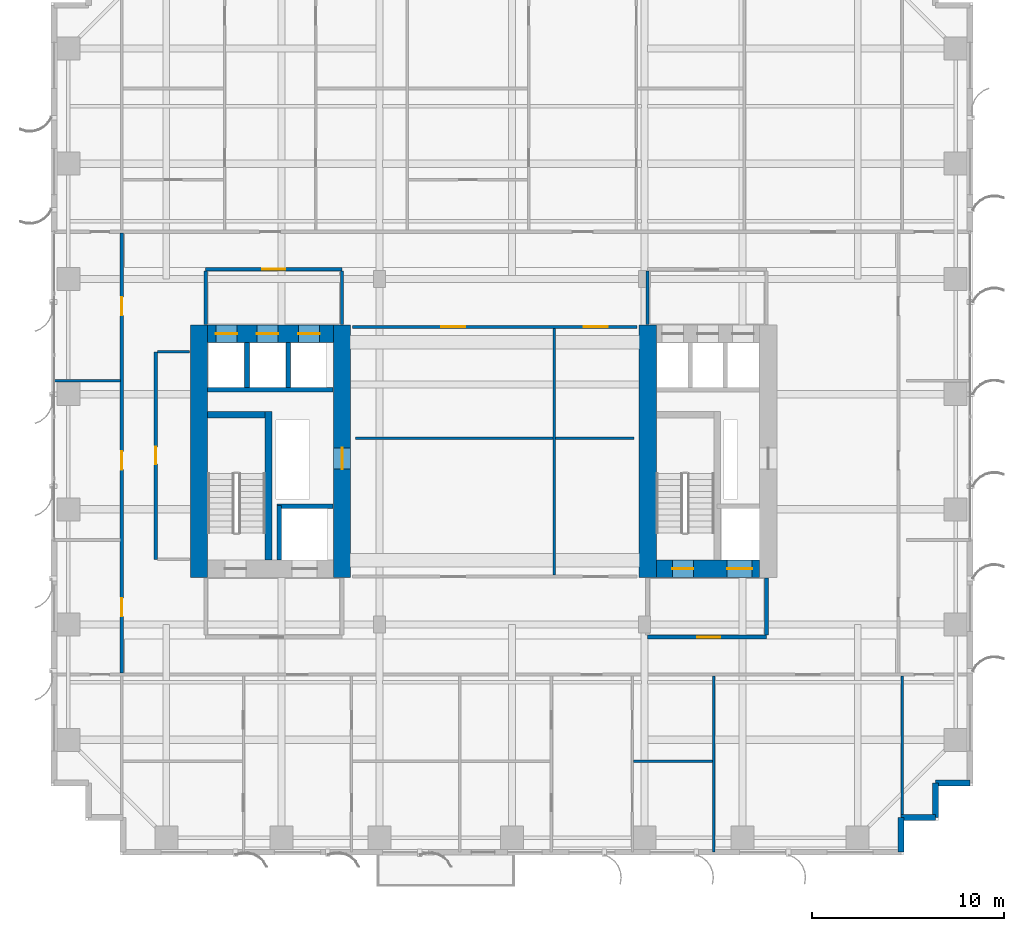
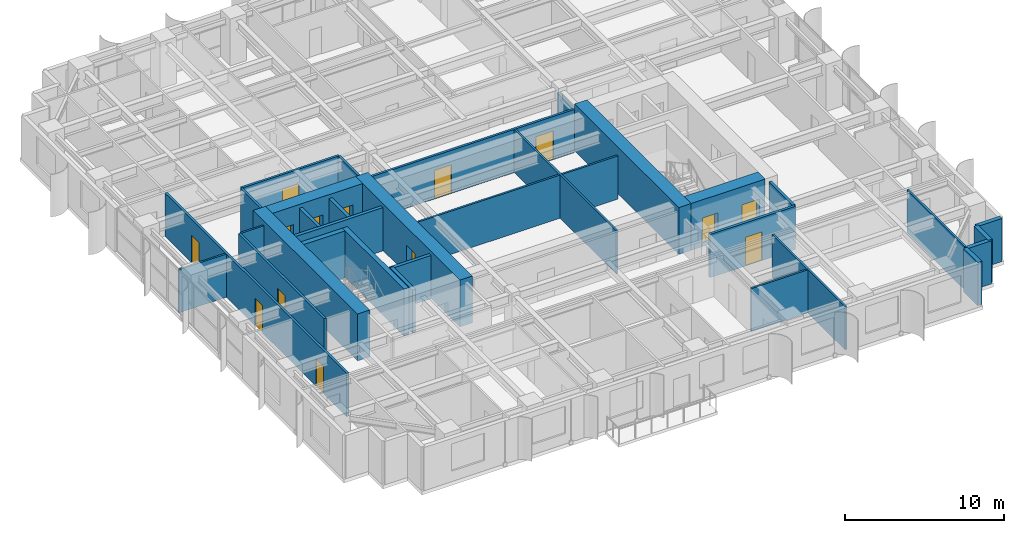
# One storey, part 11 of 18: 32 walls, 14 doors, 14 openings.
"""IFC4 building model written with IfcOpenShell, lengths in metres."""

import ifcopenshell
import ifcopenshell.guid

model = None  # the IFC model being written
_history = None  # IfcOwnerHistory: only IFC2X3 demands one
_inside = {}  # id of a spatial element -> (the spatial element, [elements in it])
_under = {}  # id of a project, library or spatial element -> (it, [spatial elements below it])
_declared = {}  # id of a project -> (the project, [libraries it declares])
_typed = {}  # id of a type object -> (the type object, [elements of that type])
_made_of = {}  # id of a material, layer set ... -> (it, [elements and type objects made of it])


def new_model(schema):
    """Start an empty IFC model of exactly this schema.

    Asked for "IFC4X3", IfcOpenShell would pick the latest addendum, in which some entities
    have other attributes; the version numbers below select the first issue.
    IFC2X3 requires an IfcOwnerHistory on every rooted entity: one is made here for all.
    """
    global model, _history
    if schema == "IFC4X3":
        model = ifcopenshell.file(schema_version=(4, 3, 0, 0))
    else:
        model = ifcopenshell.file(schema=schema)
    _inside.clear()
    _under.clear()
    _declared.clear()
    _typed.clear()
    _made_of.clear()
    _history = None
    if model.schema == "IFC2X3":
        org = make("IfcOrganization", Name="unknown")
        user = make(
            "IfcPersonAndOrganization",
            ThePerson=make("IfcPerson", FamilyName="unknown"),
            TheOrganization=org,
        )
        app = make(
            "IfcApplication",
            ApplicationDeveloper=org,
            Version="unknown",
            ApplicationFullName="unknown",
            ApplicationIdentifier="unknown",
        )
        _history = make(
            "IfcOwnerHistory",
            OwningUser=user,
            OwningApplication=app,
            ChangeAction="ADDED",
            CreationDate=0,
        )
    return model


def make(cls, **values):
    """One entity of the class cls with the attributes given. An attribute that is None is left unset."""
    return model.create_entity(
        cls, **{name: value for name, value in values.items() if value is not None}
    )


def rooted(cls, **values):
    """An entity with a GlobalId (a new one), such as an element, a storey or a relation."""
    return make(cls, GlobalId=ifcopenshell.guid.new(), OwnerHistory=_history, **values)


def si_unit(unit_type, name, prefix=None):
    """IfcSIUnit, for example si_unit("LENGTHUNIT", "METRE", prefix="MILLI")."""
    return make("IfcSIUnit", UnitType=unit_type, Prefix=prefix, Name=name)


def assignment(units):
    """IfcUnitAssignment: the units of a project."""
    return None if units is None else make("IfcUnitAssignment", Units=units)


def point(xyz):
    """IfcCartesianPoint."""
    return None if xyz is None else make("IfcCartesianPoint", Coordinates=xyz)


def direction(xyz):
    """IfcDirection."""
    return None if xyz is None else make("IfcDirection", DirectionRatios=xyz)


def frame(location, z_axis=None, x_axis=None):
    """IfcAxis2Placement3D, a coordinate frame: its origin and axes. An axis left out is left unset."""
    return make(
        "IfcAxis2Placement3D",
        Location=point(location),
        Axis=direction(z_axis),
        RefDirection=direction(x_axis),
    )


def frame_2d(location, x_axis=None):
    """IfcAxis2Placement2D, a coordinate frame in the plane: its origin and x axis."""
    return make(
        "IfcAxis2Placement2D", Location=point(location), RefDirection=direction(x_axis)
    )


def origin():
    """The frame at (0, 0, 0) with its axes left unset."""
    return frame((0.0, 0.0, 0.0))


def place(relative_to, where):
    """IfcLocalPlacement: puts the frame where relative to a parent placement (None: the world)."""
    return make(
        "IfcLocalPlacement", PlacementRelTo=relative_to, RelativePlacement=where
    )


def context(
    kind, dimensions, precision=None, world=None, true_north=None, identifier=None
):
    """IfcGeometricRepresentationContext, for example the 3D "Model" context."""
    return make(
        "IfcGeometricRepresentationContext",
        ContextIdentifier=identifier,
        ContextType=kind,
        CoordinateSpaceDimension=dimensions,
        Precision=precision,
        WorldCoordinateSystem=world,
        TrueNorth=true_north,
    )


def subcontext(parent, identifier, kind, view, scale=None):
    """IfcGeometricRepresentationSubContext, for example "Body" below "Model"."""
    return make(
        "IfcGeometricRepresentationSubContext",
        ContextIdentifier=identifier,
        ContextType=kind,
        ParentContext=parent,
        TargetScale=scale,
        TargetView=view,
    )


def project(units=None, contexts=None):
    """IfcProject with its units and contexts."""
    return rooted(
        "IfcProject",
        Name="project",
        RepresentationContexts=contexts,
        UnitsInContext=assignment(units),
    )


def spatial(cls, under=None, at=None, **own):
    """A site, building, storey or space (cls), placed at a placement, below another one or the project."""
    s = rooted(cls, ObjectPlacement=at, **own)
    if under is not None:
        _under.setdefault(under.id(), (under, []))[1].append(s)
    return s


def profile(cls, at=None, kind="AREA", **sizes):
    """A parametric profile (cls). Its sizes go by their IFC names, for example OverallWidth=200.0."""
    return make(cls, ProfileType=kind, Position=at, **sizes)


def rectangle(**sizes):
    """IfcRectangleProfileDef."""
    return profile("IfcRectangleProfileDef", **sizes)


def extrude(swept, where, along, depth):
    """IfcExtrudedAreaSolid: the profile swept, set in the frame where, extruded along a direction by depth."""
    return make(
        "IfcExtrudedAreaSolid",
        SweptArea=swept,
        Position=where,
        ExtrudedDirection=direction(along),
        Depth=depth,
    )


def shape(context_of_items, identifier, shape_type, items):
    """IfcShapeRepresentation: the items that make up one representation, for example the "Body"."""
    return make(
        "IfcShapeRepresentation",
        ContextOfItems=context_of_items,
        RepresentationIdentifier=identifier,
        RepresentationType=shape_type,
        Items=items,
    )


def source(mapping_origin, context_of_items, identifier, shape_type, items):
    """IfcRepresentationMap: a shape defined once, which mapped items show again and again."""
    return make(
        "IfcRepresentationMap",
        MappingOrigin=mapping_origin,
        MappedRepresentation=shape(context_of_items, identifier, shape_type, items),
    )


def transform(
    local_origin,
    x_axis=None,
    y_axis=None,
    z_axis=None,
    scale=None,
    scale2=None,
    scale3=None,
    uniform=True,
):
    """IfcCartesianTransformationOperator3D, or its non-uniform kind. x_axis, y_axis, z_axis: its Axis1, 2, 3."""
    if uniform:
        return make(
            "IfcCartesianTransformationOperator3D",
            Axis1=direction(x_axis),
            Axis2=direction(y_axis),
            LocalOrigin=point(local_origin),
            Scale=scale,
            Axis3=direction(z_axis),
        )
    return make(
        "IfcCartesianTransformationOperator3DnonUniform",
        Axis1=direction(x_axis),
        Axis2=direction(y_axis),
        LocalOrigin=point(local_origin),
        Scale=scale,
        Axis3=direction(z_axis),
        Scale2=scale2,
        Scale3=scale3,
    )


def mapped(mapping_source, mapping_target):
    """IfcMappedItem: shows the shape of a source again, moved by a transform."""
    return make(
        "IfcMappedItem", MappingSource=mapping_source, MappingTarget=mapping_target
    )


def material(Name=None, Category=None):
    """IfcMaterial."""
    return make("IfcMaterial", Name=Name, Category=Category)


def layer(
    of_material, thickness, ventilated=None, Name=None, Category=None, Priority=None
):
    """IfcMaterialLayer: one layer of a wall or slab, of a material (None: an air gap)."""
    return make(
        "IfcMaterialLayer",
        Material=of_material,
        LayerThickness=thickness,
        IsVentilated=ventilated,
        Name=Name,
        Category=Category,
        Priority=Priority,
    )


def layer_set(layers, Name=None):
    """IfcMaterialLayerSet."""
    return make("IfcMaterialLayerSet", MaterialLayers=layers, LayerSetName=Name)


def made_of(thing, what):
    """Note that an element or type object is made of a material, layer set ...; save() writes the relation."""
    if what is not None:
        _made_of.setdefault(what.id(), (what, []))[1].append(thing)
    return thing


def type_object(cls, material=None, **own):
    """A type object (cls), such as IfcWallType, which elements share."""
    return made_of(rooted(cls, **own), material)


def element(
    cls,
    number,
    at=None,
    inside=None,
    cuts=None,
    type_object=None,
    material=None,
    context=None,
    identifier="Body",
    shape_type=None,
    held_by="IfcProductDefinitionShape",
    body=None,
    shapes=None,
    **own,
):
    """One element of the class cls, such as IfcWall. Its Tag is "e" and its number.

    at: its placement. inside: the storey or other place that contains it. cuts: it is an
    opening in that element (IfcRelVoidsElement). A single representation is given by context,
    identifier, shape_type and body (its items); several are given by shapes. held_by: the class
    of the entity that holds the representations. save() writes the other relations.
    """
    e = rooted(cls, Tag="e%d" % number, ObjectPlacement=at, **own)
    if body is not None:
        shapes = [shape(context, identifier, shape_type, body)]
    if shapes is not None:
        e.Representation = make(held_by, Representations=shapes)
    if inside is not None:
        _inside.setdefault(inside.id(), (inside, []))[1].append(e)
    if cuts is not None:
        rooted(
            "IfcRelVoidsElement", RelatingBuildingElement=cuts, RelatedOpeningElement=e
        )
    if type_object is not None:
        _typed.setdefault(type_object.id(), (type_object, []))[1].append(e)
    return made_of(e, material)


def fill(opening, filler):
    """IfcRelFillsElement: the door or window that sits in an opening."""
    return rooted(
        "IfcRelFillsElement",
        RelatingOpeningElement=opening,
        RelatedBuildingElement=filler,
    )


def aggregate(whole, parts):
    """IfcRelAggregates: a whole, such as a stair, and the parts it consists of."""
    return rooted("IfcRelAggregates", RelatingObject=whole, RelatedObjects=parts)


def save(model, path):
    """Write the relations noted so far, then the file.

    IfcRelAggregates (storeys below a building ...), IfcRelContainedInSpatialStructure (elements
    in a storey), IfcRelDefinesByType, IfcRelAssociatesMaterial and IfcRelDeclares: one each for
    every whole, place, type object, material and project.
    """
    for whole, parts in _under.values():
        aggregate(whole, parts)
    for where, things in _inside.values():
        rooted(
            "IfcRelContainedInSpatialStructure",
            RelatedElements=things,
            RelatingStructure=where,
        )
    for kind, things in _typed.values():
        rooted("IfcRelDefinesByType", RelatedObjects=things, RelatingType=kind)
    for what, things in _made_of.values():
        rooted("IfcRelAssociatesMaterial", RelatedObjects=things, RelatingMaterial=what)
    for by, libraries in _declared.values():
        rooted("IfcRelDeclares", RelatingContext=by, RelatedDefinitions=libraries)
    model.write(path)


model = new_model("IFC4")

# Units and contexts
model_context = context("Model", 3, precision=1e-05, world=origin(), true_north=direction((0.0, 1.0)))
body_context = subcontext(model_context, "Body", "Model", "MODEL_VIEW")
ifc_project = project(units=[si_unit("LENGTHUNIT", "METRE"), si_unit("AREAUNIT", "SQUARE_METRE"), si_unit("VOLUMEUNIT", "CUBIC_METRE"), si_unit("PLANEANGLEUNIT", "RADIAN"), si_unit("MASSUNIT", "GRAM", prefix="KILO")], contexts=[model_context])

# Site, building, storey
site_placement = place(None, origin())
site = spatial("IfcSite", under=ifc_project, at=site_placement, CompositionType="ELEMENT")
building_placement = place(site_placement, origin())
building = spatial("IfcBuilding", under=site, at=building_placement, Name="Khoralis Quay Care Tower", CompositionType="ELEMENT")
storey_placement = place(building_placement, frame((0.0, 0.0, 47.699951171875)))
storey = spatial("IfcBuildingStorey", under=building, at=storey_placement, Name="L12", CompositionType="ELEMENT", Elevation=47.699951171875)

# Wall, opening, door
ifc_material_1 = material(Name="Gypsum plasterboard on acoustic metal stud")
ifc_layer_1 = layer(ifc_material_1, 0.199951171875)
ifc_layer_set_1 = layer_set([ifc_layer_1], Name="Gypsum plasterboard on acoustic metal stud")
wall_type_1 = type_object("IfcWallType", Name="WL-COMP-200", PredefinedType="PARTITIONING", material=ifc_layer_set_1)
wall_1_placement = place(storey_placement, frame((31.050048828125, 11.35009765625, 0.0), z_axis=(0.0, 0.0, 1.0), x_axis=(1.0, 0.0, 0.0)))
wall_1 = element("IfcWall", 1, at=wall_1_placement, inside=storey, type_object=wall_type_1, Name="L12 East Firefighting Lobby South Wall", PredefinedType="PARTITIONING", context=body_context, shape_type="SweptSolid", body=[
    extrude(rectangle(XDim=6.199951171875, YDim=0.199951171875, at=frame_2d((3.10009765625, 0.0))), origin(), (0.0, 0.0, 1.0), 3.320068359375),
])
opening_1_placement = place(wall_1_placement, frame((2.585693359375, 0.0, 0.0)))
opening_1 = element("IfcOpeningElement", 2, at=opening_1_placement, cuts=wall_1, Name="Opening FD1", PredefinedType="OPENING", context=body_context, shape_type="SweptSolid", body=[
    extrude(rectangle(XDim=1.199951171875, YDim=2.199951171875, at=frame_2d((0.60009765625, 1.10009765625))), frame((0.0, 0.10986328125, 0.0), z_axis=(0.0, -1.0, 0.0), x_axis=(1.0, 0.0, 0.0)), (0.0, 0.0, 1.0), 0.219970703125),
])
ifc_material_2 = material(Name="Fire-rated painted steel", Category="steel")
door_type_1 = type_object("IfcDoorType", Name="DR-FFL-1200X2200", OperationType="NOTDEFINED", PredefinedType="DOOR", material=ifc_material_2)
shared_shape_1 = source(origin(), body_context, "Body", "SweptSolid", [
    extrude(rectangle(XDim=1.199951171875, YDim=2.199951171875, at=frame_2d((0.60009765625, 1.10009765625))), frame((0.0, 0.02490234375, 0.0), z_axis=(0.0, -1.0, 0.0), x_axis=(1.0, 0.0, 0.0)), (0.0, 0.0, 1.0), 0.050048828125),
])
door_1_placement = place(opening_1_placement, origin())
door_1 = element("IfcDoor", 3, at=door_1_placement, inside=storey, type_object=door_type_1, Name="L12 East Firefighting Lobby Fire Door", OperationType="SINGLE_SWING_LEFT", OverallHeight=2.199951171875, OverallWidth=1.199951171875, PredefinedType="DOOR", context=body_context, shape_type="MappedRepresentation", body=[
    mapped(shared_shape_1, transform((0.0, 0.0, 0.0), scale=1.0)),
])
fill(opening_1, door_1)

# Walls
wall_2_placement = place(storey_placement, frame((37.25, 11.445068359375, 0.0), z_axis=(0.0, 0.0, 1.0), x_axis=(0.0, 1.0, 0.0)))
element("IfcWall", 4, at=wall_2_placement, inside=storey, type_object=wall_type_1, Name="L12 East Firefighting Lobby East Wall", PredefinedType="PARTITIONING", context=body_context, shape_type="SweptSolid", body=[
    extrude(rectangle(XDim=2.98486328125, YDim=0.199951171875, at=frame_2d((1.492431640625, 0.0))), origin(), (0.0, 0.0, 1.0), 3.320068359375),
])
ifc_material_3 = material(Name="Concrete C80/95", Category="concrete")
ifc_layer_2 = layer(ifc_material_3, 0.89990234375)
ifc_layer_set_2 = layer_set([ifc_layer_2], Name="Concrete C80/95")
wall_type_2 = type_object("IfcWallType", Name="WL-CORE-900", PredefinedType="SHEAR", material=ifc_layer_set_2)
wall_3_placement = place(storey_placement, frame((7.699951171875, 14.449951171875, 0.0), z_axis=(0.0, 0.0, 1.0), x_axis=(0.0, 1.0, 0.0)))
element("IfcWall", 5, at=wall_3_placement, inside=storey, type_object=wall_type_2, Name="L12 WCORE West Shear Wall", PredefinedType="SHEAR", context=body_context, shape_type="SweptSolid", body=[
    extrude(rectangle(XDim=13.150146484375, YDim=0.89990234375, at=frame_2d((6.5751953125, 0.0))), origin(), (0.0, 0.0, 1.0), 3.60009765625),
])

# Wall, opening, door
wall_4_placement = place(storey_placement, frame((15.14990234375, 14.449951171875, 0.0), z_axis=(0.0, 0.0, 1.0), x_axis=(0.0, 1.0, 0.0)))
wall_4 = element("IfcWall", 6, at=wall_4_placement, inside=storey, type_object=wall_type_2, Name="L12 WCORE East Shear Wall", PredefinedType="SHEAR", context=body_context, shape_type="SweptSolid", body=[
    extrude(rectangle(XDim=13.150146484375, YDim=0.89990234375, at=frame_2d((6.5751953125, 0.0))), origin(), (0.0, 0.0, 1.0), 3.60009765625),
])
opening_2_placement = place(wall_4_placement, frame((5.64990234375, 0.0, 0.0)))
opening_2 = element("IfcOpeningElement", 7, at=opening_2_placement, cuts=wall_4, Name="Opening SD1", PredefinedType="OPENING", context=body_context, shape_type="SweptSolid", body=[
    extrude(rectangle(XDim=1.10009765625, YDim=2.199951171875, at=frame_2d((0.550048828125, 1.10009765625))), frame((0.0, 0.4599609375, 0.0), z_axis=(0.0, -1.0, 0.0), x_axis=(1.0, 0.0, 0.0)), (0.0, 0.0, 1.0), 0.919921875),
])
door_type_2 = type_object("IfcDoorType", Name="DR-STAIR-1100X2200", OperationType="NOTDEFINED", PredefinedType="DOOR", material=ifc_material_2)
shared_shape_2 = source(origin(), body_context, "Body", "SweptSolid", [
    extrude(rectangle(XDim=1.10009765625, YDim=2.199951171875, at=frame_2d((0.550048828125, 1.10009765625))), frame((0.0, 0.02490234375, 0.0), z_axis=(0.0, -1.0, 0.0), x_axis=(1.0, 0.0, 0.0)), (0.0, 0.0, 1.0), 0.050048828125),
])
door_2_placement = place(opening_2_placement, origin())
door_2 = element("IfcDoor", 8, at=door_2_placement, inside=storey, type_object=door_type_2, Name="L12 West MEP Riser Door", OperationType="SINGLE_SWING_RIGHT", OverallHeight=2.199951171875, OverallWidth=1.10009765625, PredefinedType="DOOR", context=body_context, shape_type="MappedRepresentation", body=[
    mapped(shared_shape_2, transform((0.0, 0.0, 0.0), scale=1.0)),
])
fill(opening_2, door_2)

# Wall, openings, doors
wall_5_placement = place(storey_placement, frame((8.14990234375, 27.14990234375, 0.0), z_axis=(0.0, 0.0, 1.0), x_axis=(1.0, 0.0, 0.0)))
wall_5 = element("IfcWall", 9, at=wall_5_placement, inside=storey, type_object=wall_type_2, Name="L12 WCORE North Shear Wall", PredefinedType="SHEAR", context=body_context, shape_type="SweptSolid", body=[
    extrude(rectangle(XDim=6.550048828125, YDim=0.89990234375, at=frame_2d((3.27490234375, 0.0))), origin(), (0.0, 0.0, 1.0), 3.60009765625),
])
opening_3_placement = place(wall_5_placement, frame((0.429931640625, 0.0, 0.0)))
opening_3 = element("IfcOpeningElement", 10, at=opening_3_placement, cuts=wall_5, Name="Opening LD1", PredefinedType="OPENING", context=body_context, shape_type="SweptSolid", body=[
    extrude(rectangle(XDim=1.10009765625, YDim=2.199951171875, at=frame_2d((0.550048828125, 1.10009765625))), frame((0.0, 0.4599609375, 0.0), z_axis=(0.0, -1.0, 0.0), x_axis=(1.0, 0.0, 0.0)), (0.0, 0.0, 1.0), 0.919921875),
])
opening_4_placement = place(wall_5_placement, frame((2.570068359375, 0.0, 0.0)))
opening_4 = element("IfcOpeningElement", 11, at=opening_4_placement, cuts=wall_5, Name="Opening LD1", PredefinedType="OPENING", context=body_context, shape_type="SweptSolid", body=[
    extrude(rectangle(XDim=1.10009765625, YDim=2.199951171875, at=frame_2d((0.550048828125, 1.10009765625))), frame((0.0, 0.4599609375, 0.0), z_axis=(0.0, -1.0, 0.0), x_axis=(1.0, 0.0, 0.0)), (0.0, 0.0, 1.0), 0.919921875),
])
opening_5_placement = place(wall_5_placement, frame((4.72998046875, 0.0, 0.0)))
opening_5 = element("IfcOpeningElement", 12, at=opening_5_placement, cuts=wall_5, Name="Opening LD1", PredefinedType="OPENING", context=body_context, shape_type="SweptSolid", body=[
    extrude(rectangle(XDim=1.10009765625, YDim=2.199951171875, at=frame_2d((0.550048828125, 1.10009765625))), frame((0.0, 0.4599609375, 0.0), z_axis=(0.0, -1.0, 0.0), x_axis=(1.0, 0.0, 0.0)), (0.0, 0.0, 1.0), 0.919921875),
])
ifc_material_4 = material(Name="Brushed stainless steel", Category="steel")
door_type_3 = type_object("IfcDoorType", Name="DR-LIFT-1100X2200", OperationType="SLIDING_TO_LEFT", PredefinedType="DOOR", material=ifc_material_4)
shared_shape_3 = source(origin(), body_context, "Body", "SweptSolid", [
    extrude(rectangle(XDim=1.10009765625, YDim=2.199951171875, at=frame_2d((0.550048828125, 1.10009765625))), frame((0.0, 0.02490234375, 0.0), z_axis=(0.0, -1.0, 0.0), x_axis=(1.0, 0.0, 0.0)), (0.0, 0.0, 1.0), 0.050048828125),
])
door_3_placement = place(opening_3_placement, origin())
door_3 = element("IfcDoor", 13, at=door_3_placement, inside=storey, type_object=door_type_3, Name="L12 Lift PLL1 Landing Door", OperationType="SLIDING_TO_LEFT", OverallHeight=2.199951171875, OverallWidth=1.10009765625, PredefinedType="DOOR", context=body_context, shape_type="MappedRepresentation", body=[
    mapped(shared_shape_3, transform((0.0, 0.0, 0.0), scale=1.0)),
])
fill(opening_3, door_3)
door_4_placement = place(opening_4_placement, origin())
door_4 = element("IfcDoor", 14, at=door_4_placement, inside=storey, type_object=door_type_3, Name="L12 Lift PLM1 Landing Door", OperationType="SLIDING_TO_LEFT", OverallHeight=2.199951171875, OverallWidth=1.10009765625, PredefinedType="DOOR", context=body_context, shape_type="MappedRepresentation", body=[
    mapped(shared_shape_3, transform((0.0, 0.0, 0.0), scale=1.0)),
])
fill(opening_4, door_4)
door_5_placement = place(opening_5_placement, origin())
door_5 = element("IfcDoor", 15, at=door_5_placement, inside=storey, type_object=door_type_3, Name="L12 Lift PLH1 Landing Door", OperationType="SLIDING_TO_LEFT", OverallHeight=2.199951171875, OverallWidth=1.10009765625, PredefinedType="DOOR", context=body_context, shape_type="MappedRepresentation", body=[
    mapped(shared_shape_3, transform((0.0, 0.0, 0.0), scale=1.0)),
])
fill(opening_5, door_5)

# Wall
wall_6_placement = place(storey_placement, frame((31.070068359375, 14.449951171875, 0.0), z_axis=(0.0, 0.0, 1.0), x_axis=(0.0, 1.0, 0.0)))
element("IfcWall", 16, at=wall_6_placement, inside=storey, type_object=wall_type_2, Name="L12 ECORE West Shear Wall", PredefinedType="SHEAR", context=body_context, shape_type="SweptSolid", body=[
    extrude(rectangle(XDim=13.150146484375, YDim=0.89990234375, at=frame_2d((6.5751953125, 0.0))), origin(), (0.0, 0.0, 1.0), 3.60009765625),
])

# Wall, openings, doors
wall_7_placement = place(storey_placement, frame((31.52001953125, 14.89990234375, 0.0), z_axis=(0.0, 0.0, 1.0), x_axis=(1.0, 0.0, 0.0)))
wall_7 = element("IfcWall", 17, at=wall_7_placement, inside=storey, type_object=wall_type_2, Name="L12 ECORE South Shear Wall", PredefinedType="SHEAR", context=body_context, shape_type="SweptSolid", body=[
    extrude(rectangle(XDim=5.3798828125, YDim=0.89990234375, at=frame_2d((2.68994140625, 0.0))), origin(), (0.0, 0.0, 1.0), 3.60009765625),
])
opening_6_placement = place(wall_7_placement, frame((0.830078125, 0.0, 0.0)))
opening_6 = element("IfcOpeningElement", 18, at=opening_6_placement, cuts=wall_7, Name="Opening SD1", PredefinedType="OPENING", context=body_context, shape_type="SweptSolid", body=[
    extrude(rectangle(XDim=1.10009765625, YDim=2.199951171875, at=frame_2d((0.550048828125, 1.10009765625))), frame((0.0, 0.4599609375, 0.0), z_axis=(0.0, -1.0, 0.0), x_axis=(1.0, 0.0, 0.0)), (0.0, 0.0, 1.0), 0.919921875),
])
opening_7_placement = place(wall_7_placement, frame((3.679931640625, 0.0, 0.0)))
opening_7 = element("IfcOpeningElement", 19, at=opening_7_placement, cuts=wall_7, Name="Opening LD2", PredefinedType="OPENING", context=body_context, shape_type="SweptSolid", body=[
    extrude(rectangle(XDim=1.300048828125, YDim=2.199951171875, at=frame_2d((0.64990234375, 1.10009765625))), frame((0.0, 0.4599609375, 0.0), z_axis=(0.0, -1.0, 0.0), x_axis=(1.0, 0.0, 0.0)), (0.0, 0.0, 1.0), 0.919921875),
])
door_6_placement = place(opening_6_placement, origin())
door_6 = element("IfcDoor", 20, at=door_6_placement, inside=storey, type_object=door_type_2, Name="L12 Stair ST-T2 Fire Door", OperationType="SINGLE_SWING_LEFT", OverallHeight=2.199951171875, OverallWidth=1.10009765625, PredefinedType="DOOR", context=body_context, shape_type="MappedRepresentation", body=[
    mapped(shared_shape_2, transform((0.0, 0.0, 0.0), scale=1.0)),
])
fill(opening_6, door_6)
door_type_4 = type_object("IfcDoorType", Name="DR-LIFT-1300X2200", OperationType="SLIDING_TO_RIGHT", PredefinedType="DOOR", material=ifc_material_4)
shared_shape_4 = source(origin(), body_context, "Body", "SweptSolid", [
    extrude(rectangle(XDim=1.300048828125, YDim=2.199951171875, at=frame_2d((0.64990234375, 1.10009765625))), frame((0.0, 0.02490234375, 0.0), z_axis=(0.0, -1.0, 0.0), x_axis=(1.0, 0.0, 0.0)), (0.0, 0.0, 1.0), 0.050048828125),
])
door_7_placement = place(opening_7_placement, origin())
door_7 = element("IfcDoor", 21, at=door_7_placement, inside=storey, type_object=door_type_4, Name="L12 Firefighting Lift FFL-2 Landing Door", OperationType="SLIDING_TO_RIGHT", OverallHeight=2.199951171875, OverallWidth=1.300048828125, PredefinedType="DOOR", context=body_context, shape_type="MappedRepresentation", body=[
    mapped(shared_shape_4, transform((0.0, 0.0, 0.0), scale=1.0)),
])
fill(opening_7, door_7)

# Wall, opening, door
ifc_layer_3 = layer(ifc_material_1, 0.1650390625)
ifc_layer_set_3 = layer_set([ifc_layer_3], Name="Gypsum plasterboard on acoustic metal stud")
wall_type_3 = type_object("IfcWallType", Name="WL-CORR-165", PredefinedType="PARTITIONING", material=ifc_layer_set_3)
wall_8_placement = place(storey_placement, frame((8.050048828125, 30.5, 0.0), z_axis=(0.0, 0.0, 1.0), x_axis=(1.0, 0.0, 0.0)))
wall_8 = element("IfcWall", 22, at=wall_8_placement, inside=storey, type_object=wall_type_3, Name="L12 West Lift Lobby North Wall", PredefinedType="PARTITIONING", context=body_context, shape_type="SweptSolid", body=[
    extrude(rectangle(XDim=7.099853515625, YDim=0.1650390625, at=frame_2d((3.5498046875, 0.0))), origin(), (0.0, 0.0, 1.0), 3.320068359375),
])
opening_8_placement = place(wall_8_placement, frame((2.949951171875, 0.0, 0.0)))
opening_8 = element("IfcOpeningElement", 23, at=opening_8_placement, cuts=wall_8, Name="Opening FD1", PredefinedType="OPENING", context=body_context, shape_type="SweptSolid", body=[
    extrude(rectangle(XDim=1.199951171875, YDim=2.199951171875, at=frame_2d((0.60009765625, 1.10009765625))), frame((0.0, 0.092529296875, 0.0), z_axis=(0.0, -1.0, 0.0), x_axis=(1.0, 0.0, 0.0)), (0.0, 0.0, 1.0), 0.18505859375),
])
door_8_placement = place(opening_8_placement, origin())
door_8 = element("IfcDoor", 24, at=door_8_placement, inside=storey, type_object=door_type_1, Name="L12 West Lift Lobby Double Door", OperationType="DOUBLE_DOOR_SINGLE_SWING", OverallHeight=2.199951171875, OverallWidth=1.199951171875, PredefinedType="DOOR", context=body_context, shape_type="MappedRepresentation", body=[
    mapped(shared_shape_1, transform((0.0, 0.0, 0.0), scale=1.0)),
])
fill(opening_8, door_8)

# Walls
for number, where, z_axis, x_axis, name in (
    (25, (8.050048828125, 27.6201171875, 0.0), (0.0, 0.0, 1.0), (0.0, 1.0, 0.0), "L12 West Lift Lobby West Wall"),
    (26, (15.14990234375, 27.6201171875, 0.0), (0.0, 0.0, 1.0), (0.0, 1.0, 0.0), "L12 West Lift Lobby East Wall"),
):
    element("IfcWall", number, at=place(storey_placement, frame(where, z_axis=z_axis, x_axis=x_axis)), inside=storey, type_object=wall_type_3, Name=name, PredefinedType="PARTITIONING", context=body_context, shape_type="SweptSolid", body=[
        extrude(rectangle(XDim=2.802490234375, YDim=0.1650390625, at=frame_2d((1.4013671875, 0.0))), origin(), (0.0, 0.0, 1.0), 3.320068359375),
    ])
wall_9_placement = place(storey_placement, frame((31.050048828125, 27.6201171875, 0.0), z_axis=(0.0, 0.0, 1.0), x_axis=(0.0, 1.0, 0.0)))
element("IfcWall", 27, at=wall_9_placement, inside=storey, type_object=wall_type_3, Name="L12 East Lift Lobby West Wall", PredefinedType="PARTITIONING", context=body_context, shape_type="SweptSolid", body=[
    extrude(rectangle(XDim=2.802490234375, YDim=0.1650390625, at=frame_2d((1.4013671875, 0.0))), origin(), (0.0, 0.0, 1.0), 2.625),
])

# Wall, opening, door
wall_10_placement = place(storey_placement, frame((5.449951171875, 15.39990234375, 0.0), z_axis=(0.0, 0.0, 1.0), x_axis=(0.0, 1.0, 0.0)))
wall_10 = element("IfcWall", 28, at=wall_10_placement, inside=storey, type_object=wall_type_3, Name="L12 West Core Service Flank Wall", PredefinedType="PARTITIONING", context=body_context, shape_type="SweptSolid", body=[
    extrude(rectangle(XDim=10.800048828125, YDim=0.1650390625, at=frame_2d((5.39990234375, 0.0))), origin(), (0.0, 0.0, 1.0), 3.320068359375),
])
opening_9_placement = place(wall_10_placement, frame((4.949951171875, 0.0, 0.0)))
opening_9 = element("IfcOpeningElement", 29, at=opening_9_placement, cuts=wall_10, Name="Opening WD1", PredefinedType="OPENING", context=body_context, shape_type="SweptSolid", body=[
    extrude(rectangle(XDim=0.89990234375, YDim=2.10009765625, at=frame_2d((0.449951171875, 1.050048828125))), frame((0.0, 0.092529296875, 0.0), z_axis=(0.0, -1.0, 0.0), x_axis=(1.0, 0.0, 0.0)), (0.0, 0.0, 1.0), 0.18505859375),
])
ifc_material_5 = material(Name="Acoustic hardwood timber", Category="wood")
door_type_5 = type_object("IfcDoorType", Name="DR-BATH-900X2100", OperationType="NOTDEFINED", PredefinedType="DOOR", material=ifc_material_5)
shared_shape_5 = source(origin(), body_context, "Body", "SweptSolid", [
    extrude(rectangle(XDim=0.89990234375, YDim=2.10009765625, at=frame_2d((0.449951171875, 1.050048828125))), frame((0.0, 0.02490234375, 0.0), z_axis=(0.0, -1.0, 0.0), x_axis=(1.0, 0.0, 0.0)), (0.0, 0.0, 1.0), 0.050048828125),
])
door_9_placement = place(opening_9_placement, frame((0.89990234375, 0.0, 0.0), z_axis=(0.0, 0.0, 1.0), x_axis=(-1.0, 0.0, 0.0)))
door_9 = element("IfcDoor", 30, at=door_9_placement, inside=storey, type_object=door_type_5, Name="L12 Housekeeping & Public Accessible WC Door", OperationType="SINGLE_SWING_LEFT", OverallHeight=2.10009765625, OverallWidth=0.89990234375, PredefinedType="DOOR", context=body_context, shape_type="MappedRepresentation", body=[
    mapped(shared_shape_5, transform((0.0, 0.0, 0.0), scale=1.0)),
])
fill(opening_9, door_9)

# Wall, openings, doors
wall_11_placement = place(storey_placement, frame((3.679931640625, 9.4775390625, 0.0), z_axis=(0.0, 0.0, 1.0), x_axis=(0.0, 1.0, 0.0)))
wall_11 = element("IfcWall", 31, at=wall_11_placement, inside=storey, type_object=wall_type_3, Name="L12 West Loop Corridor Wall", PredefinedType="PARTITIONING", context=body_context, shape_type="SweptSolid", body=[
    extrude(rectangle(XDim=22.905029296875, YDim=0.1650390625, at=frame_2d((11.45263671875, 0.0))), origin(), (0.0, 0.0, 1.0), 3.320068359375),
])
opening_10_placement = place(wall_11_placement, frame((2.947509765625, 0.0, 0.0)))
opening_10 = element("IfcOpeningElement", 32, at=opening_10_placement, cuts=wall_11, Name="Opening ID1", PredefinedType="OPENING", context=body_context, shape_type="SweptSolid", body=[
    extrude(rectangle(XDim=0.949951171875, YDim=2.10009765625, at=frame_2d((0.47509765625, 1.050048828125))), frame((0.0, 0.092529296875, 0.0), z_axis=(0.0, -1.0, 0.0), x_axis=(1.0, 0.0, 0.0)), (0.0, 0.0, 1.0), 0.18505859375),
])
opening_11_placement = place(wall_11_placement, frame((10.597412109375, 0.0, 0.0)))
opening_11 = element("IfcOpeningElement", 33, at=opening_11_placement, cuts=wall_11, Name="Opening ID1", PredefinedType="OPENING", context=body_context, shape_type="SweptSolid", body=[
    extrude(rectangle(XDim=0.949951171875, YDim=2.10009765625, at=frame_2d((0.47509765625, 1.050048828125))), frame((0.0, 0.092529296875, 0.0), z_axis=(0.0, -1.0, 0.0), x_axis=(1.0, 0.0, 0.0)), (0.0, 0.0, 1.0), 0.18505859375),
])
opening_12_placement = place(wall_11_placement, frame((18.62744140625, 0.0, 0.0)))
opening_12 = element("IfcOpeningElement", 34, at=opening_12_placement, cuts=wall_11, Name="Opening ID1", PredefinedType="OPENING", context=body_context, shape_type="SweptSolid", body=[
    extrude(rectangle(XDim=0.949951171875, YDim=2.10009765625, at=frame_2d((0.47509765625, 1.050048828125))), frame((0.0, 0.092529296875, 0.0), z_axis=(0.0, -1.0, 0.0), x_axis=(1.0, 0.0, 0.0)), (0.0, 0.0, 1.0), 0.18505859375),
])
door_type_6 = type_object("IfcDoorType", Name="DR-ROOM-950X2100", OperationType="NOTDEFINED", PredefinedType="DOOR", material=ifc_material_5)
shared_shape_6 = source(origin(), body_context, "Body", "SweptSolid", [
    extrude(rectangle(XDim=0.949951171875, YDim=2.10009765625, at=frame_2d((0.47509765625, 1.050048828125))), frame((0.0, 0.02490234375, 0.0), z_axis=(0.0, -1.0, 0.0), x_axis=(1.0, 0.0, 0.0)), (0.0, 0.0, 1.0), 0.050048828125),
])
door_10_placement = place(opening_10_placement, origin())
door_10 = element("IfcDoor", 35, at=door_10_placement, inside=storey, type_object=door_type_6, Name="L12 Therapy Consultation Room Door", OperationType="SINGLE_SWING_LEFT", OverallHeight=2.10009765625, OverallWidth=0.949951171875, PredefinedType="DOOR", context=body_context, shape_type="MappedRepresentation", body=[
    mapped(shared_shape_6, transform((0.0, 0.0, 0.0), scale=1.0)),
])
fill(opening_10, door_10)
door_11_placement = place(opening_11_placement, origin())
door_11 = element("IfcDoor", 36, at=door_11_placement, inside=storey, type_object=door_type_6, Name="L12 Assisted Activity Lounge Door", OperationType="SINGLE_SWING_RIGHT", OverallHeight=2.10009765625, OverallWidth=0.949951171875, PredefinedType="DOOR", context=body_context, shape_type="MappedRepresentation", body=[
    mapped(shared_shape_6, transform((0.0, 0.0, 0.0), scale=1.0)),
])
fill(opening_11, door_11)
door_12_placement = place(opening_12_placement, origin())
door_12 = element("IfcDoor", 37, at=door_12_placement, inside=storey, type_object=door_type_6, Name="L12 Nurse Charting Office Door", OperationType="SINGLE_SWING_LEFT", OverallHeight=2.10009765625, OverallWidth=0.949951171875, PredefinedType="DOOR", context=body_context, shape_type="MappedRepresentation", body=[
    mapped(shared_shape_6, transform((0.0, 0.0, 0.0), scale=1.0)),
])
fill(opening_12, door_12)

wall_12_placement = place(storey_placement, frame((15.699951171875, 27.5, 0.0), z_axis=(0.0, 0.0, 1.0), x_axis=(1.0, 0.0, 0.0)))
wall_12 = element("IfcWall", 38, at=wall_12_placement, inside=storey, type_object=wall_type_3, Name="L12 Central Clinical North Wall", PredefinedType="PARTITIONING", context=body_context, shape_type="SweptSolid", body=[
    extrude(rectangle(XDim=14.800048828125, YDim=0.1650390625, at=frame_2d((7.39990234375, 0.0))), origin(), (0.0, 0.0, 1.0), 3.320068359375),
])
opening_13_placement = place(wall_12_placement, frame((4.625, 0.0, 0.0)))
opening_13 = element("IfcOpeningElement", 39, at=opening_13_placement, cuts=wall_12, Name="Opening CD1", PredefinedType="OPENING", context=body_context, shape_type="SweptSolid", body=[
    extrude(rectangle(XDim=1.25, YDim=2.199951171875, at=frame_2d((0.625, 1.10009765625))), frame((0.0, 0.092529296875, 0.0), z_axis=(0.0, -1.0, 0.0), x_axis=(1.0, 0.0, 0.0)), (0.0, 0.0, 1.0), 0.18505859375),
])
opening_14_placement = place(wall_12_placement, frame((12.02490234375, 0.0, 0.0)))
opening_14 = element("IfcOpeningElement", 40, at=opening_14_placement, cuts=wall_12, Name="Opening CD1", PredefinedType="OPENING", context=body_context, shape_type="SweptSolid", body=[
    extrude(rectangle(XDim=1.25, YDim=2.199951171875, at=frame_2d((0.625, 1.10009765625))), frame((0.0, 0.092529296875, 0.0), z_axis=(0.0, -1.0, 0.0), x_axis=(1.0, 0.0, 0.0)), (0.0, 0.0, 1.0), 0.18505859375),
])
door_type_7 = type_object("IfcDoorType", Name="DR-CARE-1250X2200", OperationType="NOTDEFINED", PredefinedType="DOOR", material=ifc_material_5)
shared_shape_7 = source(origin(), body_context, "Body", "SweptSolid", [
    extrude(rectangle(XDim=1.25, YDim=2.199951171875, at=frame_2d((0.625, 1.10009765625))), frame((0.0, 0.02490234375, 0.0), z_axis=(0.0, -1.0, 0.0), x_axis=(1.0, 0.0, 0.0)), (0.0, 0.0, 1.0), 0.050048828125),
])
door_13_placement = place(opening_13_placement, frame((1.25, 0.0, 0.0), z_axis=(0.0, 0.0, 1.0), x_axis=(-1.0, 0.0, 0.0)))
door_13 = element("IfcDoor", 41, at=door_13_placement, inside=storey, type_object=door_type_7, Name="L12 Library Lounge Door", OperationType="SINGLE_SWING_LEFT", OverallHeight=2.199951171875, OverallWidth=1.25, PredefinedType="DOOR", context=body_context, shape_type="MappedRepresentation", body=[
    mapped(shared_shape_7, transform((0.0, 0.0, 0.0), scale=1.0)),
])
fill(opening_13, door_13)
door_14_placement = place(opening_14_placement, frame((1.25, 0.0, 0.0), z_axis=(0.0, 0.0, 1.0), x_axis=(-1.0, 0.0, 0.0)))
door_14 = element("IfcDoor", 42, at=door_14_placement, inside=storey, type_object=door_type_7, Name="L12 Occupational Therapy Door", OperationType="SINGLE_SWING_RIGHT", OverallHeight=2.199951171875, OverallWidth=1.25, PredefinedType="DOOR", context=body_context, shape_type="MappedRepresentation", body=[
    mapped(shared_shape_7, transform((0.0, 0.0, 0.0), scale=1.0)),
])
fill(opening_14, door_14)

# Walls
ifc_material_6 = material(Name="Precast concrete C45/55", Category="concrete")
ifc_layer_4 = layer(ifc_material_6, 0.300048828125)
ifc_layer_set_4 = layer_set([ifc_layer_4], Name="Precast concrete C45/55")
wall_type_4 = type_object("IfcWallType", Name="WL-EXT-REF-300", PredefinedType="SOLIDWALL", material=ifc_layer_set_4)
for number, where, z_axis, x_axis, name in (
    (43, (44.25, 0.14990234375, 0.0), (0.0, 0.0, 1.0), (0.0, 1.0, 0.0), "L12 External Facade Wall WL-EXT-L12-P1-C1"),
    (44, (44.25, 1.949951171875, 0.0), (0.0, 0.0, 1.0), (1.0, 0.0, 0.0), "L12 External Facade Wall WL-EXT-L12-P1-C2"),
    (45, (46.050048828125, 1.949951171875, 0.0), (0.0, 0.0, 1.0), (0.0, 1.0, 0.0), "L12 External Facade Wall WL-EXT-L12-P1-C3"),
    (46, (46.050048828125, 3.75, 0.0), (0.0, 0.0, 1.0), (1.0, 0.0, 0.0), "L12 External Facade Wall WL-EXT-L12-P1-C4"),
):
    element("IfcWall", number, at=place(storey_placement, frame(where, z_axis=z_axis, x_axis=x_axis)), inside=storey, type_object=wall_type_4, Name=name, PredefinedType="SOLIDWALL", context=body_context, shape_type="SweptSolid", body=[
        extrude(rectangle(XDim=1.800048828125, YDim=0.300048828125, at=frame_2d((0.89990234375, 0.0))), origin(), (0.0, 0.0, 1.0), 3.320068359375),
    ])
ifc_material_7 = material(Name="Moisture-resistant gypsum and ceramic tile")
ifc_layer_5 = layer(ifc_material_7, 0.280029296875)
ifc_layer_set_5 = layer_set([ifc_layer_5], Name="Moisture-resistant gypsum and ceramic tile")
wall_type_5 = type_object("IfcWallType", Name="WL-PLUMB-280", PredefinedType="PLUMBINGWALL", material=ifc_layer_set_5)
wall_13_placement = place(storey_placement, frame((30.32861328125, 4.887939453125, 0.0), z_axis=(0.0, 0.0, 1.0), x_axis=(1.0, 0.0, 0.0)))
element("IfcWall", 47, at=wall_13_placement, inside=storey, type_object=wall_type_5, Name="L12 2BR 1 Right Split", PredefinedType="PLUMBINGWALL", context=body_context, shape_type="SweptSolid", body=[
    extrude(rectangle(XDim=4.116455078125, YDim=0.139892578125, at=frame_2d((2.05810546875, 0.0))), origin(), (0.0, 0.0, 1.0), 3.320068359375),
])
ifc_material_8 = material(Name="Concrete C40/50", Category="concrete")
ifc_layer_6 = layer(ifc_material_8, 0.35009765625)
ifc_layer_set_6 = layer_set([ifc_layer_6], Name="Concrete C40/50")
wall_type_6 = type_object("IfcWallType", Name="WL-SC-CORE-350", PredefinedType="SHEAR", material=ifc_layer_set_6)
wall_14_placement = place(storey_placement, frame((11.324951171875, 15.35009765625, 0.0), z_axis=(0.0, 0.0, 1.0), x_axis=(0.0, 1.0, 0.0)))
element("IfcWall", 48, at=wall_14_placement, inside=storey, type_object=wall_type_6, Name="L12 Stair ST-T1 Shear Baffle Wall East", PredefinedType="SHEAR", context=body_context, shape_type="SweptSolid", body=[
    extrude(rectangle(XDim=7.75, YDim=0.35009765625, at=frame_2d((3.875, 0.0))), origin(), (0.0, 0.0, 1.0), 3.60009765625),
])
wall_15_placement = place(storey_placement, frame((8.14990234375, 22.925048828125, 0.0), z_axis=(0.0, 0.0, 1.0), x_axis=(1.0, 0.0, 0.0)))
element("IfcWall", 49, at=wall_15_placement, inside=storey, type_object=wall_type_6, Name="L12 Stair ST-T1 Shear Baffle Wall North", PredefinedType="SHEAR", context=body_context, shape_type="SweptSolid", body=[
    extrude(rectangle(XDim=3.0, YDim=0.35009765625, at=frame_2d((1.5, 0.0))), origin(), (0.0, 0.0, 1.0), 3.60009765625),
])
ifc_layer_7 = layer(ifc_material_1, 0.239990234375)
ifc_layer_set_7 = layer_set([ifc_layer_7], Name="Gypsum plasterboard on acoustic metal stud")
wall_type_7 = type_object("IfcWallType", Name="WL-SHAFT-240", PredefinedType="PARTITIONING", material=ifc_layer_set_7)
wall_16_placement = place(storey_placement, frame((11.8798828125, 15.35009765625, 0.0), z_axis=(0.0, 0.0, 1.0), x_axis=(0.0, 1.0, 0.0)))
element("IfcWall", 50, at=wall_16_placement, inside=storey, type_object=wall_type_7, Name="L12 FFL-1 Shaft Wall West", PredefinedType="PARTITIONING", context=body_context, shape_type="SweptSolid", body=[
    extrude(rectangle(XDim=2.849853515625, YDim=0.239990234375, at=frame_2d((1.4248046875, 0.0))), origin(), (0.0, 0.0, 1.0), 3.320068359375),
])
wall_17_placement = place(storey_placement, frame((11.760009765625, 18.169921875, 0.0), z_axis=(0.0, 0.0, 1.0), x_axis=(1.0, 0.0, 0.0)))
element("IfcWall", 51, at=wall_17_placement, inside=storey, type_object=wall_type_7, Name="L12 FFL-1 Shaft Wall North", PredefinedType="PARTITIONING", context=body_context, shape_type="SweptSolid", body=[
    extrude(rectangle(XDim=2.919921875, YDim=0.239990234375, at=frame_2d((1.4599609375, 0.0))), origin(), (0.0, 0.0, 1.0), 3.320068359375),
])
wall_18_placement = place(storey_placement, frame((8.14990234375, 24.22998046875, 0.0), z_axis=(0.0, 0.0, 1.0), x_axis=(1.0, 0.0, 0.0)))
element("IfcWall", 52, at=wall_18_placement, inside=storey, type_object=wall_type_7, Name="L12 West Passenger Shaft South Wall", PredefinedType="PARTITIONING", context=body_context, shape_type="SweptSolid", body=[
    extrude(rectangle(XDim=6.530029296875, YDim=0.239990234375, at=frame_2d((3.26513671875, 0.0))), origin(), (0.0, 0.0, 1.0), 3.320068359375),
])
for number, where, z_axis, x_axis, name in (
    (53, (10.199951171875, 24.344970703125, 0.0), (0.0, 0.0, 1.0), (0.0, 1.0, 0.0), "L12 West Shaft Divider 1"),
    (54, (12.35009765625, 24.344970703125, 0.0), (0.0, 0.0, 1.0), (0.0, 1.0, 0.0), "L12 West Shaft Divider 2"),
):
    element("IfcWall", number, at=place(storey_placement, frame(where, z_axis=z_axis, x_axis=x_axis)), inside=storey, type_object=wall_type_7, Name=name, PredefinedType="PARTITIONING", context=body_context, shape_type="SweptSolid", body=[
        extrude(rectangle(XDim=2.3349609375, YDim=0.239990234375, at=frame_2d((1.16748046875, 0.0))), origin(), (0.0, 0.0, 1.0), 3.320068359375),
    ])
ifc_layer_8 = layer(ifc_material_1, 0.139892578125)
ifc_layer_set_8 = layer_set([ifc_layer_8], Name="Gypsum plasterboard on acoustic metal stud")
wall_type_8 = type_object("IfcWallType", Name="WL-UNIT-140", PredefinedType="PARTITIONING", material=ifc_layer_set_8)
wall_19_placement = place(storey_placement, frame((5.527587890625, 26.199951171875, 0.0), z_axis=(0.0, 0.0, 1.0), x_axis=(1.0, 0.0, 0.0)))
element("IfcWall", 55, at=wall_19_placement, inside=storey, type_object=wall_type_8, Name="L12 West Flank North Cap", PredefinedType="PARTITIONING", context=body_context, shape_type="SweptSolid", body=[
    extrude(rectangle(XDim=1.682373046875, YDim=0.139892578125, at=frame_2d((0.84130859375, 0.0))), origin(), (0.0, 0.0, 1.0), 3.320068359375),
])
wall_20_placement = place(storey_placement, frame((0.14501953125, 24.699951171875, 0.0), z_axis=(0.0, 0.0, 1.0), x_axis=(1.0, 0.0, 0.0)))
element("IfcWall", 56, at=wall_20_placement, inside=storey, type_object=wall_type_8, Name="L12 WW Divider 2", PredefinedType="PARTITIONING", context=body_context, shape_type="SweptSolid", body=[
    extrude(rectangle(XDim=3.45751953125, YDim=0.139892578125, at=frame_2d((1.728759765625, 0.0))), origin(), (0.0, 0.0, 1.0), 3.320068359375),
])
wall_21_placement = place(storey_placement, frame((26.199951171875, 14.577392578125, 0.0), z_axis=(0.0, 0.0, 1.0), x_axis=(0.0, 1.0, 0.0)))
element("IfcWall", 57, at=wall_21_placement, inside=storey, type_object=wall_type_8, Name="L12 Central Split V", PredefinedType="PARTITIONING", context=body_context, shape_type="SweptSolid", body=[
    extrude(rectangle(XDim=12.84521484375, YDim=0.139892578125, at=frame_2d((6.422607421875, 0.0))), origin(), (0.0, 0.0, 1.0), 3.320068359375),
])
wall_22_placement = place(storey_placement, frame((15.85009765625, 21.699951171875, 0.0), z_axis=(0.0, 0.0, 1.0), x_axis=(1.0, 0.0, 0.0)))
element("IfcWall", 58, at=wall_22_placement, inside=storey, type_object=wall_type_8, Name="L12 Central Split H", PredefinedType="PARTITIONING", context=body_context, shape_type="SweptSolid", body=[
    extrude(rectangle(XDim=14.5, YDim=0.139892578125, at=frame_2d((7.25, 0.0))), origin(), (0.0, 0.0, 1.0), 3.320068359375),
])
wall_23_placement = place(storey_placement, frame((34.510009765625, 0.14501953125, 0.0), z_axis=(0.0, 0.0, 1.0), x_axis=(0.0, 1.0, 0.0)))
element("IfcWall", 59, at=wall_23_placement, inside=storey, type_object=wall_type_8, Name="L12 SB Demising Wall 2", PredefinedType="PARTITIONING", context=body_context, shape_type="SweptSolid", body=[
    extrude(rectangle(XDim=9.177490234375, YDim=0.139892578125, at=frame_2d((4.5888671875, 0.0))), origin(), (0.0, 0.0, 1.0), 3.320068359375),
])
wall_24_placement = place(storey_placement, frame((44.320068359375, 1.945068359375, 0.0), z_axis=(0.0, 0.0, 1.0), x_axis=(0.0, 1.0, 0.0)))
element("IfcWall", 60, at=wall_24_placement, inside=storey, type_object=wall_type_8, Name="L12 SB Demising Wall 3", PredefinedType="PARTITIONING", context=body_context, shape_type="SweptSolid", body=[
    extrude(rectangle(XDim=7.37744140625, YDim=0.139892578125, at=frame_2d((3.688720703125, 0.0))), origin(), (0.0, 0.0, 1.0), 3.320068359375),
])

save(model, "model.ifc")
